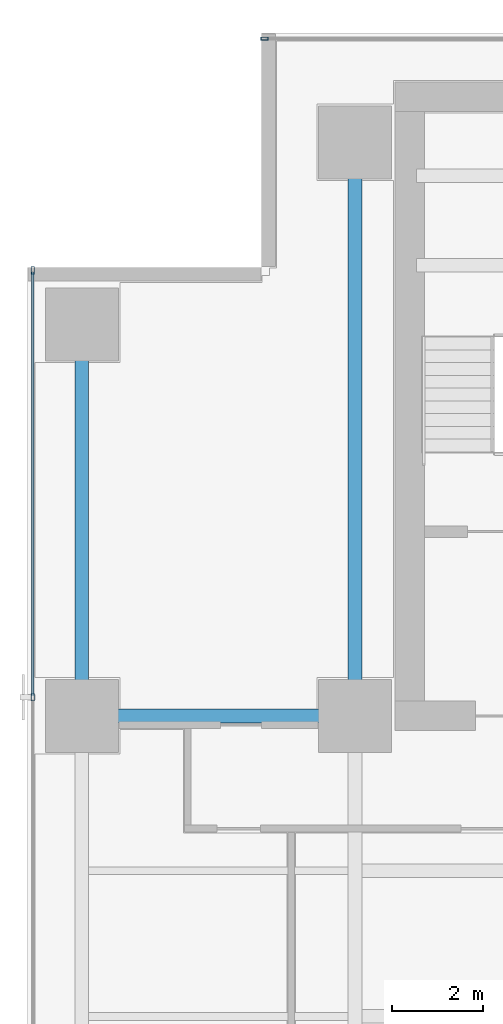
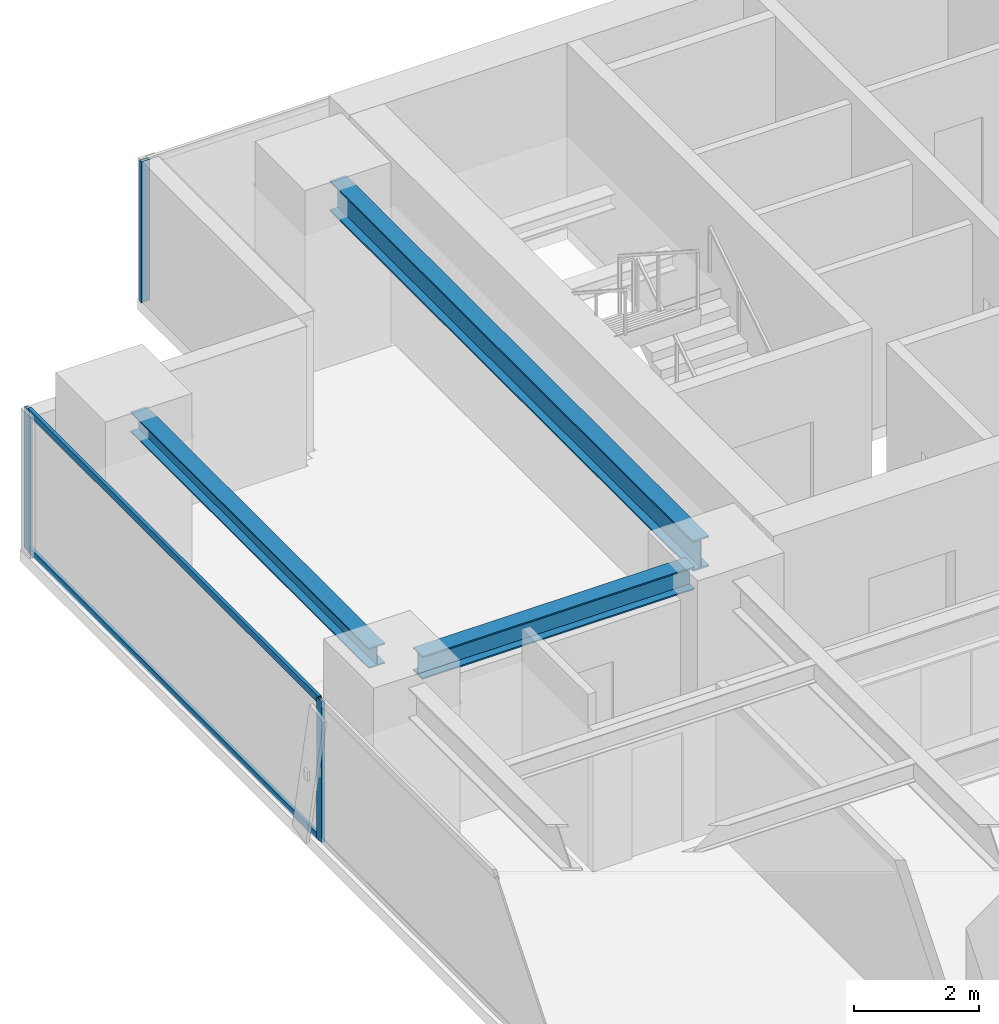
# One storey, part 14 of 28: 5 members, 3 beams, 2 elements without a shape of their own.
"""IFC4 building model written with IfcOpenShell, lengths in metres."""

from ifc_helpers import new_model, si_unit, direction, frame, origin, origin_2d, place, context, subcontext, project, spatial, hollow_rectangle, i_section, extrude, source, transform, mapped, material, layer, layer_set, material_profile, profile_set, type_object, element, aggregate, save


model = new_model("IFC4")

# Units and contexts
model_context = context("Model", 3, precision=1e-05, world=origin(), true_north=direction((0.0, 1.0)))
body_context = subcontext(model_context, "Body", "Model", "MODEL_VIEW")
ifc_project = project(units=[si_unit("LENGTHUNIT", "METRE"), si_unit("AREAUNIT", "SQUARE_METRE"), si_unit("VOLUMEUNIT", "CUBIC_METRE"), si_unit("PLANEANGLEUNIT", "RADIAN"), si_unit("MASSUNIT", "GRAM", prefix="KILO")], contexts=[model_context])

# Site, building, storey
site_placement = place(None, origin())
site = spatial("IfcSite", under=ifc_project, at=site_placement, CompositionType="ELEMENT")
building_placement = place(site_placement, origin())
building = spatial("IfcBuilding", under=site, at=building_placement, Name="Sumidabori Civic Tower", CompositionType="ELEMENT")
storey_placement = place(building_placement, frame((0.0, 0.0, 146.0)))
storey = spatial("IfcBuildingStorey", under=building, at=storey_placement, Name="L37", CompositionType="ELEMENT", Elevation=146.0)

# Beams
ifc_material_1 = material(Name="Steel SN490", Category="steel")
ifc_material_profile_1 = material_profile(ifc_material_1, i_section(OverallWidth=0.300048828125, OverallDepth=0.39990234375, WebThickness=0.013427734375, FlangeThickness=0.02392578125, at=origin_2d()), Name="HE 400 B")
ifc_profile_set_1 = profile_set([ifc_material_profile_1], Name="Steel SN490")
beam_type_1 = type_object("IfcBeamType", Name="BM-GIRD-400", PredefinedType="BEAM", material=ifc_profile_set_1)
shared_shape_1 = source(origin(), body_context, "Body", "SweptSolid", [
    extrude(i_section(OverallWidth=0.300048828125, OverallDepth=0.39990234375, WebThickness=0.013427734375, FlangeThickness=0.02392578125, at=origin_2d()), origin(), (0.0, 0.0, 1.0), 7.64013671875),
])
beam_1_placement = place(storey_placement, frame((-22.800048828125, 10.679931640625, 3.179931640625), z_axis=(0.0, 1.0, 0.0), x_axis=(-1.0, 0.0, 0.0)))
element("IfcBeam", 1, at=beam_1_placement, inside=storey, type_object=beam_type_1, Name="Primary Girder L37 GY-21", PredefinedType="BEAM", context=body_context, shape_type="MappedRepresentation", body=[
    mapped(shared_shape_1, transform((0.0, 0.0, 0.0), x_axis=(1.0, 0.0, 0.0), y_axis=(0.0, 1.0, 0.0), z_axis=(0.0, 0.0, 1.0), scale=1.0)),
])
ifc_material_profile_2 = material_profile(ifc_material_1, i_section(OverallWidth=0.300048828125, OverallDepth=0.60009765625, WebThickness=0.015380859375, FlangeThickness=0.030029296875, at=origin_2d()), Name="HE 600 B")
ifc_profile_set_2 = profile_set([ifc_material_profile_2], Name="Steel SN490")
beam_type_2 = type_object("IfcBeamType", Name="BM-GIRD-600", PredefinedType="BEAM", material=ifc_profile_set_2)
shared_shape_2 = source(origin(), body_context, "Body", "SweptSolid", [
    extrude(i_section(OverallWidth=0.300048828125, OverallDepth=0.60009765625, WebThickness=0.015380859375, FlangeThickness=0.030029296875, at=origin_2d()), origin(), (0.0, 0.0, 1.0), 11.64013671875),
])
beam_2_placement = place(storey_placement, frame((-16.800048828125, 10.679931640625, 3.080078125), z_axis=(0.0, 1.0, 0.0), x_axis=(-1.0, 0.0, 0.0)))
element("IfcBeam", 2, at=beam_2_placement, inside=storey, type_object=beam_type_2, Name="Primary Girder L37 GY-25", PredefinedType="BEAM", context=body_context, shape_type="MappedRepresentation", body=[
    mapped(shared_shape_2, transform((0.0, 0.0, 0.0), x_axis=(1.0, 0.0, 0.0), y_axis=(0.0, 1.0, 0.0), z_axis=(0.0, 0.0, 1.0), scale=1.0)),
])
ifc_material_profile_3 = material_profile(ifc_material_1, i_section(OverallWidth=0.300048828125, OverallDepth=0.449951171875, WebThickness=0.013916015625, FlangeThickness=0.02587890625, at=origin_2d()), Name="HE 450 B")
ifc_profile_set_3 = profile_set([ifc_material_profile_3], Name="Steel SN490")
beam_type_3 = type_object("IfcBeamType", Name="BM-GIRD-450", PredefinedType="BEAM", material=ifc_profile_set_3)
shared_shape_3 = source(origin(), body_context, "Body", "SweptSolid", [
    extrude(i_section(OverallWidth=0.300048828125, OverallDepth=0.449951171875, WebThickness=0.013916015625, FlangeThickness=0.02587890625, at=origin_2d()), origin(), (0.0, 0.0, 1.0), 5.0400390625),
])
beam_3_placement = place(storey_placement, frame((-22.320068359375, 10.199951171875, 3.155029296875), z_axis=(1.0, 0.0, 0.0), x_axis=(0.0, 1.0, 0.0)))
element("IfcBeam", 3, at=beam_3_placement, inside=storey, type_object=beam_type_3, Name="Primary Girder L37 GX-17", PredefinedType="BEAM", context=body_context, shape_type="MappedRepresentation", body=[
    mapped(shared_shape_3, transform((0.0, 0.0, 0.0), x_axis=(1.0, 0.0, 0.0), y_axis=(0.0, 1.0, 0.0), z_axis=(0.0, 0.0, 1.0), scale=1.0)),
])

# Curtain wall, member
ifc_material_2 = material(Name="Anodised Bronze Aluminium AW-6063-T6", Category="aluminium")
ifc_layer = layer(ifc_material_2, 0.179931640625, Name="Anodised Bronze Aluminium AW-6063-T6")
ifc_layer_set = layer_set([ifc_layer], Name="Anodised Bronze Aluminium AW-6063-T6")
curtain_wall_type = type_object("IfcCurtainWallType", Name="CW-SYS-3", PredefinedType="NOTDEFINED", material=ifc_layer_set)
curtain_wall_1_placement = place(storey_placement, origin())
curtain_wall_1 = element("IfcCurtainWall", 4, at=curtain_wall_1_placement, inside=storey, type_object=curtain_wall_type, Name="Curtain Wall CW:L37:R07", PredefinedType="NOTDEFINED")
ifc_material_profile_4 = material_profile(ifc_material_2, hollow_rectangle(XDim=0.06494140625, YDim=0.159912109375, WallThickness=0.0048828125, at=origin_2d()), Name="ALU MULLION 160x65")
ifc_profile_set_4 = profile_set([ifc_material_profile_4], Name="Anodised Bronze Aluminium AW-6063-T6")
member_type_1 = type_object("IfcMemberType", Name="CW-MUL-160", PredefinedType="MULLION", material=ifc_profile_set_4)
shared_shape_4 = source(origin(), body_context, "Body", "SweptSolid", [
    extrude(hollow_rectangle(XDim=0.06494140625, YDim=0.159912109375, WallThickness=0.0048828125, at=origin_2d()), origin(), (0.0, 0.0, 1.0), 2.760009765625),
])
member_1_placement = place(storey_placement, frame((-18.78759765625, 25.080078125, 0.0), z_axis=(0.0, 0.0, 1.0), x_axis=(0.0, -1.0, 0.0)))
member_1 = element("IfcMember", 5, at=member_1_placement, type_object=member_type_1, Name="CW-3 mullion 5", PredefinedType="MULLION", context=body_context, shape_type="MappedRepresentation", body=[
    mapped(shared_shape_4, transform((0.0, 0.0, 0.0), x_axis=(1.0, 0.0, 0.0), y_axis=(0.0, 1.0, 0.0), z_axis=(0.0, 0.0, 1.0), scale=1.0)),
])
aggregate(curtain_wall_1, [member_1])

# Curtain wall, members
curtain_wall_2_placement = place(storey_placement, origin())
curtain_wall_2 = element("IfcCurtainWall", 6, at=curtain_wall_2_placement, inside=storey, type_object=curtain_wall_type, Name="Curtain Wall CW:L37:R10", PredefinedType="NOTDEFINED")
member_2_placement = place(storey_placement, frame((-23.8798828125, 19.987548828125, 0.0), z_axis=(0.0, 0.0, 1.0), x_axis=(1.0, 0.0, 0.0)))
member_2 = element("IfcMember", 7, at=member_2_placement, type_object=member_type_1, Name="CW-3 mullion 1", PredefinedType="MULLION", context=body_context, shape_type="MappedRepresentation", body=[
    mapped(shared_shape_4, transform((0.0, 0.0, 0.0), x_axis=(1.0, 0.0, 0.0), y_axis=(0.0, 1.0, 0.0), z_axis=(0.0, 0.0, 1.0), scale=1.0)),
])
member_3_placement = place(storey_placement, frame((-23.8798828125, 10.610107421875, 0.0), z_axis=(0.0, 0.0, 1.0), x_axis=(1.0, 0.0, 0.0)))
member_3 = element("IfcMember", 8, at=member_3_placement, type_object=member_type_1, Name="CW-3 mullion 2", PredefinedType="MULLION", context=body_context, shape_type="MappedRepresentation", body=[
    mapped(shared_shape_4, transform((0.0, 0.0, 0.0), x_axis=(1.0, 0.0, 0.0), y_axis=(0.0, 1.0, 0.0), z_axis=(0.0, 0.0, 1.0), scale=1.0)),
])
ifc_material_profile_5 = material_profile(ifc_material_2, hollow_rectangle(XDim=0.06005859375, YDim=0.1298828125, WallThickness=0.0048828125, at=origin_2d()), Name="ALU TRANSOM 130x60")
ifc_profile_set_5 = profile_set([ifc_material_profile_5], Name="Anodised Bronze Aluminium AW-6063-T6")
member_type_2 = type_object("IfcMemberType", Name="CW-TRN-130", PredefinedType="USERDEFINED", material=ifc_profile_set_5)
shared_shape_5 = source(origin(), body_context, "Body", "SweptSolid", [
    extrude(hollow_rectangle(XDim=0.06005859375, YDim=0.1298828125, WallThickness=0.0048828125, at=origin_2d()), origin(), (0.0, 0.0, 1.0), 9.3125),
])
member_4_placement = place(storey_placement, frame((-23.8798828125, 19.955078125, 0.030029296875), z_axis=(0.0, -1.0, 0.0), x_axis=(1.0, 0.0, 0.0)))
member_4 = element("IfcMember", 9, at=member_4_placement, type_object=member_type_2, Name="CW-3 transom 1.1", ObjectType="TRANSOM", PredefinedType="USERDEFINED", context=body_context, shape_type="MappedRepresentation", body=[
    mapped(shared_shape_5, transform((0.0, 0.0, 0.0), x_axis=(1.0, 0.0, 0.0), y_axis=(0.0, 1.0, 0.0), z_axis=(0.0, 0.0, 1.0), scale=1.0)),
])
member_5_placement = place(storey_placement, frame((-23.8798828125, 19.955078125, 2.72998046875), z_axis=(0.0, -1.0, 0.0), x_axis=(1.0, 0.0, 0.0)))
member_5 = element("IfcMember", 10, at=member_5_placement, type_object=member_type_2, Name="CW-3 transom 1.2", ObjectType="TRANSOM", PredefinedType="USERDEFINED", context=body_context, shape_type="MappedRepresentation", body=[
    mapped(shared_shape_5, transform((0.0, 0.0, 0.0), x_axis=(1.0, 0.0, 0.0), y_axis=(0.0, 1.0, 0.0), z_axis=(0.0, 0.0, 1.0), scale=1.0)),
])
aggregate(curtain_wall_2, [member_2, member_3, member_4, member_5])

save(model, "model.ifc")
